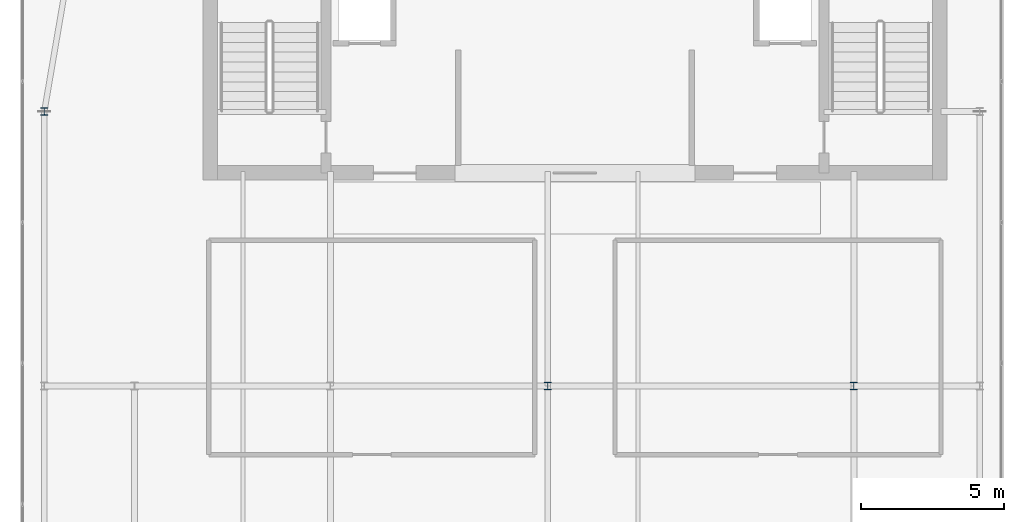
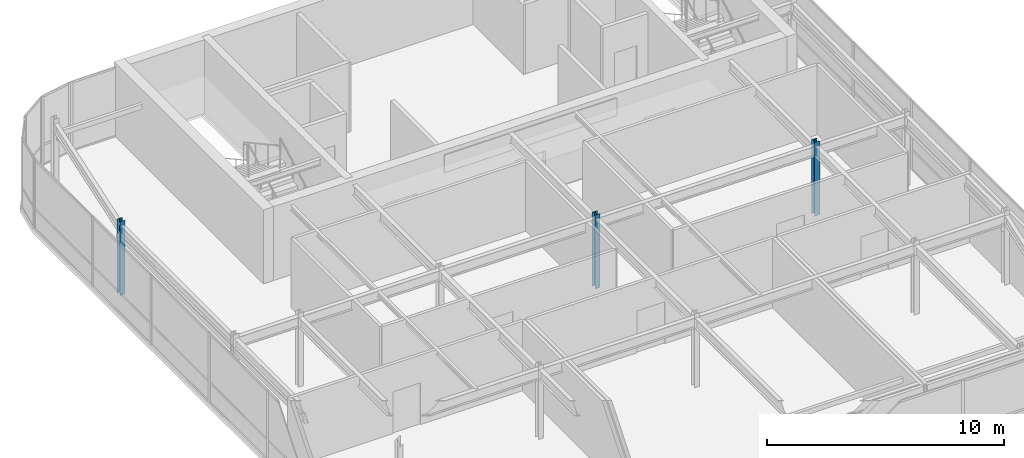
# One storey, part 2 of 36: 3 columns.
"""IFC4 building model written with IfcOpenShell, lengths in metres."""

from ifc_helpers import new_model, si_unit, direction, frame, origin, origin_2d, place, context, subcontext, project, spatial, i_section, extrude, source, transform, mapped, material, material_profile, profile_set, type_object, type_shapes, element, save


model = new_model("IFC4")

# Units and contexts
model_context = context("Model", 3, precision=1e-05, world=origin(), true_north=direction((0.0, 1.0)))
body_context = subcontext(model_context, "Body", "Model", "MODEL_VIEW")
ifc_project = project(units=[si_unit("LENGTHUNIT", "METRE"), si_unit("AREAUNIT", "SQUARE_METRE"), si_unit("VOLUMEUNIT", "CUBIC_METRE"), si_unit("PLANEANGLEUNIT", "RADIAN"), si_unit("MASSUNIT", "GRAM", prefix="KILO")], contexts=[model_context])

# Site, building, storey
site_placement = place(None, origin())
site = spatial("IfcSite", under=ifc_project, at=site_placement, CompositionType="ELEMENT")
building_placement = place(site_placement, origin())
building = spatial("IfcBuilding", under=site, at=building_placement, Name="Tolvann Quenvar Hotel", CompositionType="ELEMENT")
storey_placement = place(building_placement, frame((0.0, 0.0, 302.35009765625)))
storey = spatial("IfcBuildingStorey", under=building, at=storey_placement, Name="L80", CompositionType="ELEMENT", Elevation=302.35009765625)

# Columns
ifc_material = material(Name="Steel Grade 350", Category="steel")
ifc_material_profile = material_profile(ifc_material, i_section(OverallWidth=0.25390625, OverallDepth=0.25390625, WebThickness=0.008544921875, FlangeThickness=0.01416015625, FilletRadius=0.013916015625, at=origin_2d()), Name="250UC73")
ifc_profile_set = profile_set([ifc_material_profile], Name="Steel Grade 350")
column_type = type_object("IfcColumnType", Name="COL_250UC73", PredefinedType="COLUMN", material=ifc_profile_set)
shared_shape = source(origin(), body_context, "Body", "SweptSolid", [
    extrude(i_section(OverallWidth=0.25390625, OverallDepth=0.25390625, WebThickness=0.008544921875, FlangeThickness=0.01416015625, FilletRadius=0.013916015625, at=origin_2d()), origin(), (0.0, 0.0, 1.0), 3.7998046875),
])
type_shapes(column_type, [shared_shape])
for number, where, z_axis, x_axis, name in (
    (1, (22.050048828125, 24.39990234375, 0.0), (0.0, 0.0, 1.0), (1.0, 0.0, 0.0), "Column E5 (L80)"),
    (2, (32.75, 24.39990234375, 0.0), (0.0, 0.0, 1.0), (1.0, 0.0, 0.0), "Column FP5 (L80)"),
    (3, (4.449951171875, 34.0, 0.0), (0.0, 0.0, 1.0), (1.0, 0.0, 0.0), "Column BD6 (L80)"),
):
    element("IfcColumn", number, at=place(storey_placement, frame(where, z_axis=z_axis, x_axis=x_axis)), inside=storey, type_object=column_type, Name=name, PredefinedType="COLUMN", context=body_context, shape_type="MappedRepresentation", body=[
        mapped(shared_shape, transform((0.0, 0.0, 0.0), x_axis=(1.0, 0.0, 0.0), y_axis=(0.0, 1.0, 0.0), z_axis=(0.0, 0.0, 1.0), scale=1.0)),
    ])

save(model, "model.ifc")
